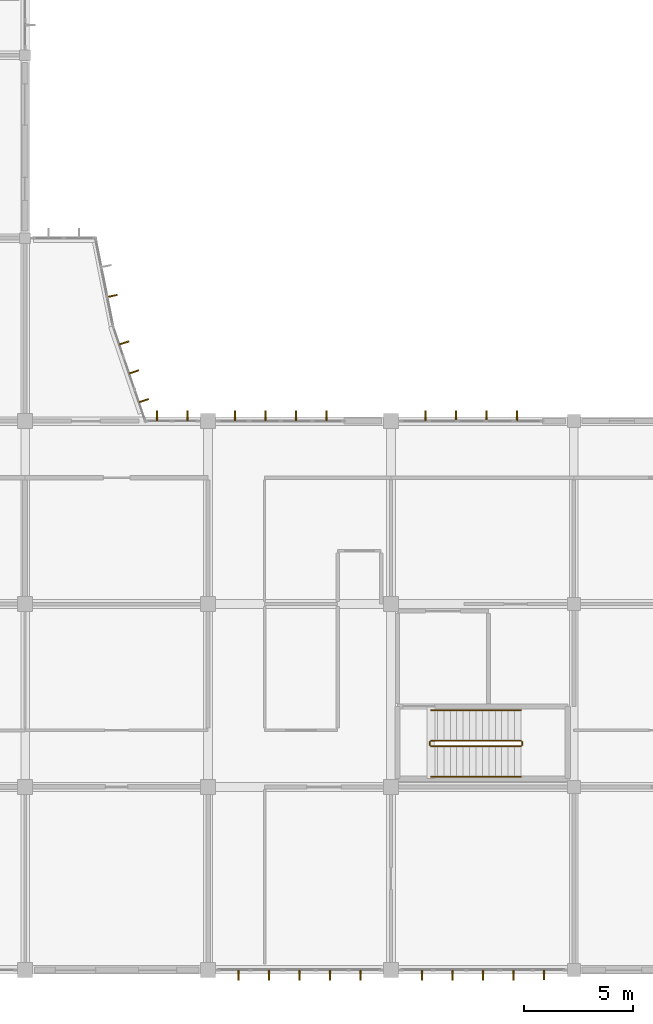
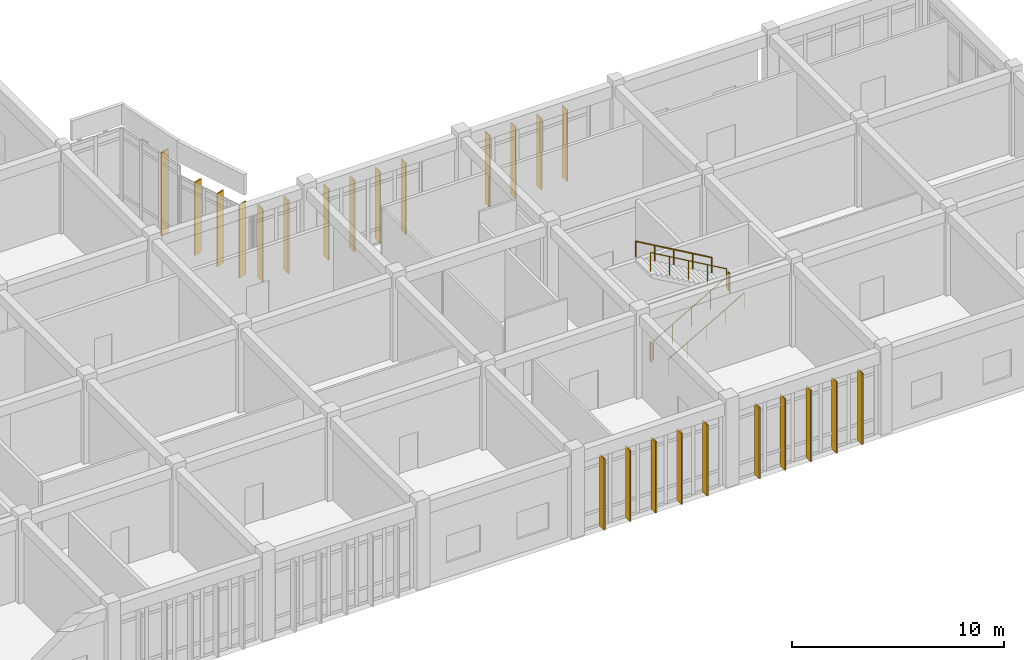
# One storey, part 129 of 134: 24 shading devices, 6 railings.
"""IFC4 building model written with IfcOpenShell, lengths in metres."""

from ifc_helpers import new_model, si_unit, direction, frame, origin, origin_2d, place, context, subcontext, project, spatial, rectangle, circle, extrude, material, material_profile, profile_set, type_object, element, save


model = new_model("IFC4")

# Units and contexts
model_context = context("Model", 3, precision=1e-05, world=origin(), true_north=direction((0.0, 1.0)))
body_context = subcontext(model_context, "Body", "Model", "MODEL_VIEW")
ifc_project = project(units=[si_unit("LENGTHUNIT", "METRE"), si_unit("AREAUNIT", "SQUARE_METRE"), si_unit("VOLUMEUNIT", "CUBIC_METRE"), si_unit("PLANEANGLEUNIT", "RADIAN"), si_unit("MASSUNIT", "GRAM", prefix="KILO")], contexts=[model_context])

# Site, building, storey
site_placement = place(None, origin())
site = spatial("IfcSite", under=ifc_project, at=site_placement, CompositionType="ELEMENT")
building_placement = place(site_placement, origin())
building = spatial("IfcBuilding", under=site, at=building_placement, Name="Bramfleet General Hospital", CompositionType="ELEMENT")
storey_placement = place(building_placement, frame((0.0, 0.0, 9.300048828125)))
storey = spatial("IfcBuildingStorey", under=building, at=storey_placement, Name="L02", CompositionType="ELEMENT", Elevation=9.300048828125)

# Railings
ifc_material_1 = material(Name="Powder-coated steel stair balustrade", Category="steel")
railing_type_1 = type_object("IfcRailingType", Name="RAIL-ST-GUARD", PredefinedType="GUARDRAIL", material=ifc_material_1)
railing_1_placement = place(storey_placement, frame((144.639892578125, 10.27001953125, 0.169921875)))
element("IfcRailing", 1, at=railing_1_placement, inside=storey, type_object=railing_type_1, Name="L02 ST-C10 stair guard 1", PredefinedType="GUARDRAIL", context=body_context, shape_type="SweptSolid", body=[
    extrude(circle(Radius=0.02392578125, at=origin_2d()), frame((0.0, 0.0, 1.076171875), z_axis=(0.866425082981, 0.0, 0.499307095465), x_axis=(0.0, 1.0, 0.0)), (0.0, 0.0, 1.0), 4.766845703125),
    extrude(circle(Radius=0.02099609375, at=origin_2d()), origin(), (0.0, 0.0, 1.0), 1.052001953125),
    extrude(circle(Radius=0.02099609375, at=origin_2d()), frame((1.032470703125, 0.0, 0.594970703125)), (0.0, 0.0, 1.0), 1.052001953125),
    extrude(circle(Radius=0.02099609375, at=origin_2d()), frame((2.06494140625, 0.0, 1.18994140625)), (0.0, 0.0, 1.0), 1.052001953125),
    extrude(circle(Radius=0.02099609375, at=origin_2d()), frame((3.09765625, 0.0, 1.78515625)), (0.0, 0.0, 1.0), 1.052001953125),
    extrude(circle(Radius=0.02099609375, at=origin_2d()), frame((4.130126953125, 0.0, 2.380126953125)), (0.0, 0.0, 1.0), 1.052001953125),
])
railing_2_placement = place(storey_placement, frame((148.820068359375, 10.320068359375, 2.550048828125)))
element("IfcRailing", 2, at=railing_2_placement, inside=storey, type_object=railing_type_1, Name="L02 ST-C10 stair guard 2", PredefinedType="GUARDRAIL", context=body_context, shape_type="SweptSolid", body=[
    extrude(circle(Radius=0.02392578125, at=origin_2d()), frame((0.0, 0.0, 1.076171875), z_axis=(0.0, 1.0, 0.0), x_axis=(-1.0, 0.0, 0.0)), (0.0, 0.0, 1.0), 0.159912109375),
    extrude(circle(Radius=0.02099609375, at=origin_2d()), origin(), (0.0, 0.0, 1.0), 1.052001953125),
    extrude(circle(Radius=0.02099609375, at=origin_2d()), frame((0.0, 0.159912109375, 0.0)), (0.0, 0.0, 1.0), 1.052001953125),
])
railing_3_placement = place(storey_placement, frame((148.77001953125, 10.530029296875, 2.719970703125)))
element("IfcRailing", 3, at=railing_3_placement, inside=storey, type_object=railing_type_1, Name="L02 ST-C10 stair guard 3", PredefinedType="GUARDRAIL", context=body_context, shape_type="SweptSolid", body=[
    extrude(circle(Radius=0.02392578125, at=origin_2d()), frame((0.0, 0.0, 1.076171875), z_axis=(-0.866447239463, 0.0, 0.499268646349), x_axis=(0.0, -1.0, 0.0)), (0.0, 0.0, 1.0), 4.766845703125),
    extrude(circle(Radius=0.02099609375, at=origin_2d()), origin(), (0.0, 0.0, 1.0), 1.052001953125),
    extrude(circle(Radius=0.02099609375, at=origin_2d()), frame((-1.032470703125, 0.0, 0.594970703125)), (0.0, 0.0, 1.0), 1.052001953125),
    extrude(circle(Radius=0.02099609375, at=origin_2d()), frame((-2.06494140625, 0.0, 1.18994140625)), (0.0, 0.0, 1.0), 1.052001953125),
    extrude(circle(Radius=0.02099609375, at=origin_2d()), frame((-3.09765625, 0.0, 1.784912109375)), (0.0, 0.0, 1.0), 1.052001953125),
    extrude(circle(Radius=0.02099609375, at=origin_2d()), frame((-4.130126953125, 0.0, 2.3798828125)), (0.0, 0.0, 1.0), 1.052001953125),
])
railing_4_placement = place(storey_placement, frame((144.590087890625, 10.320068359375, 0.0)))
element("IfcRailing", 4, at=railing_4_placement, inside=storey, type_object=railing_type_1, Name="L02 ST-C10 stair guard 4", PredefinedType="GUARDRAIL", context=body_context, shape_type="SweptSolid", body=[
    extrude(circle(Radius=0.02392578125, at=origin_2d()), frame((0.0, 0.0, 1.076171875), z_axis=(0.0, 1.0, 0.0), x_axis=(-1.0, 0.0, 0.0)), (0.0, 0.0, 1.0), 0.159912109375),
    extrude(circle(Radius=0.02099609375, at=origin_2d()), origin(), (0.0, 0.0, 1.0), 1.052001953125),
    extrude(circle(Radius=0.02099609375, at=origin_2d()), frame((0.0, 0.159912109375, 0.0)), (0.0, 0.0, 1.0), 1.052001953125),
])
ifc_material_2 = material(Name="Stainless steel 1.4301 stair handrail", Category="steel")
railing_type_2 = type_object("IfcRailingType", Name="RAIL-ST-HND", PredefinedType="HANDRAIL", material=ifc_material_2)
railing_5_placement = place(storey_placement, frame((144.639892578125, 8.8701171875, 0.169921875)))
element("IfcRailing", 5, at=railing_5_placement, inside=storey, type_object=railing_type_2, Name="L02 ST-C10 stair handrail 1", PredefinedType="HANDRAIL", context=body_context, shape_type="SweptSolid", body=[
    extrude(circle(Radius=0.02392578125, at=origin_2d()), frame((0.0, 0.0, 0.8759765625), z_axis=(0.866425082981, 0.0, 0.499307095465), x_axis=(0.0, 1.0, 0.0)), (0.0, 0.0, 1.0), 4.766845703125),
    extrude(circle(Radius=0.02099609375, at=origin_2d()), origin(), (0.0, 0.0, 1.0), 0.851806640625),
    extrude(circle(Radius=0.02099609375, at=origin_2d()), frame((1.032470703125, 0.0, 0.594970703125)), (0.0, 0.0, 1.0), 0.851806640625),
    extrude(circle(Radius=0.02099609375, at=origin_2d()), frame((2.06494140625, 0.0, 1.18994140625)), (0.0, 0.0, 1.0), 0.851806640625),
    extrude(circle(Radius=0.02099609375, at=origin_2d()), frame((3.09765625, 0.0, 1.78515625)), (0.0, 0.0, 1.0), 0.851806640625),
    extrude(circle(Radius=0.02099609375, at=origin_2d()), frame((4.130126953125, 0.0, 2.380126953125)), (0.0, 0.0, 1.0), 0.851806640625),
])
railing_6_placement = place(storey_placement, frame((148.77001953125, 11.929931640625, 2.719970703125)))
element("IfcRailing", 6, at=railing_6_placement, inside=storey, type_object=railing_type_2, Name="L02 ST-C10 stair handrail 2", PredefinedType="HANDRAIL", context=body_context, shape_type="SweptSolid", body=[
    extrude(circle(Radius=0.02392578125, at=origin_2d()), frame((0.0, 0.0, 0.8759765625), z_axis=(-0.866447239463, 0.0, 0.499268646349), x_axis=(0.0, -1.0, 0.0)), (0.0, 0.0, 1.0), 4.766845703125),
    extrude(circle(Radius=0.02099609375, at=origin_2d()), origin(), (0.0, 0.0, 1.0), 0.851806640625),
    extrude(circle(Radius=0.02099609375, at=origin_2d()), frame((-1.032470703125, 0.0, 0.594970703125)), (0.0, 0.0, 1.0), 0.851806640625),
    extrude(circle(Radius=0.02099609375, at=origin_2d()), frame((-2.06494140625, 0.0, 1.18994140625)), (0.0, 0.0, 1.0), 0.851806640625),
    extrude(circle(Radius=0.02099609375, at=origin_2d()), frame((-3.09765625, 0.0, 1.784912109375)), (0.0, 0.0, 1.0), 0.851806640625),
    extrude(circle(Radius=0.02099609375, at=origin_2d()), frame((-4.130126953125, 0.0, 2.3798828125)), (0.0, 0.0, 1.0), 0.851806640625),
])

# Shading devices
ifc_material_3 = material(Name="Treated European larch timber", Category="wood")
ifc_material_profile = material_profile(ifc_material_3, rectangle(XDim=0.06494140625, YDim=0.449951171875, at=origin_2d()), Name="LARCH FIN 450x65")
ifc_profile_set = profile_set([ifc_material_profile], Name="Treated European larch timber")
shading_device_type = type_object("IfcShadingDeviceType", Name="SHD-FIN-450", PredefinedType="USERDEFINED", material=ifc_profile_set)
shading_device_placement = place(storey_placement, frame((130.007568359375, 30.94873046875, -0.02001953125), z_axis=(0.0, 0.0, 1.0), x_axis=(0.195272189606, -0.980749087161, 0.0)))
element("IfcShadingDevice", 7, at=shading_device_placement, inside=storey, type_object=shading_device_type, Name="L02 Larch Timber Shading Fin 445", ObjectType="Fin", PredefinedType="USERDEFINED", context=body_context, shape_type="SweptSolid", body=[
    extrude(rectangle(XDim=0.06494140625, YDim=0.449951171875, at=origin_2d()), origin(), (0.0, 0.0, 1.0), 4.800048828125),
])
for number, where, z_axis, x_axis, name in (
    (8, (130.555908203125, 28.79150390625, -0.02001953125), (0.0, 0.0, 1.0), (0.321285950829, -0.94698222676, 0.0), "L02 Larch Timber Shading Fin 446"),
    (9, (131.005859375, 27.465576171875, -0.02001953125), (0.0, 0.0, 1.0), (0.321285950829, -0.94698222676, 0.0), "L02 Larch Timber Shading Fin 447"),
    (10, (131.45556640625, 26.139892578125, -0.02001953125), (0.0, 0.0, 1.0), (0.321285950829, -0.94698222676, 0.0), "L02 Larch Timber Shading Fin 448"),
    (11, (132.048095703125, 25.43994140625, -0.02001953125), (0.0, 0.0, 1.0), (1.0, 0.0, 0.0), "L02 Larch Timber Shading Fin 449"),
    (12, (133.447998046875, 25.43994140625, -0.02001953125), (0.0, 0.0, 1.0), (1.0, 0.0, 0.0), "L02 Larch Timber Shading Fin 450"),
):
    element("IfcShadingDevice", number, at=place(storey_placement, frame(where, z_axis=z_axis, x_axis=x_axis)), inside=storey, type_object=shading_device_type, Name=name, ObjectType="Fin", PredefinedType="USERDEFINED", context=body_context, shape_type="SweptSolid", body=[
        extrude(rectangle(XDim=0.06494140625, YDim=0.449951171875, at=origin_2d()), origin(), (0.0, 0.0, 1.0), 4.199951171875),
    ])
for number, where, z_axis, x_axis, name in (
    (13, (135.633056640625, 25.43994140625, -0.02001953125), (0.0, 0.0, 1.0), (1.0, 0.0, 0.0), "L02 Larch Timber Shading Fin 451"),
    (14, (137.032958984375, 25.43994140625, -0.02001953125), (0.0, 0.0, 1.0), (1.0, 0.0, 0.0), "L02 Larch Timber Shading Fin 452"),
    (15, (138.43310546875, 25.43994140625, -0.02001953125), (0.0, 0.0, 1.0), (1.0, 0.0, 0.0), "L02 Larch Timber Shading Fin 453"),
    (16, (139.8330078125, 25.43994140625, -0.02001953125), (0.0, 0.0, 1.0), (1.0, 0.0, 0.0), "L02 Larch Timber Shading Fin 454"),
    (17, (144.39306640625, 25.43994140625, -0.02001953125), (0.0, 0.0, 1.0), (1.0, 0.0, 0.0), "L02 Larch Timber Shading Fin 455"),
    (18, (145.79296875, 25.43994140625, -0.02001953125), (0.0, 0.0, 1.0), (1.0, 0.0, 0.0), "L02 Larch Timber Shading Fin 456"),
    (19, (147.193115234375, 25.43994140625, -0.02001953125), (0.0, 0.0, 1.0), (1.0, 0.0, 0.0), "L02 Larch Timber Shading Fin 457"),
    (20, (148.593017578125, 25.43994140625, -0.02001953125), (0.0, 0.0, 1.0), (1.0, 0.0, 0.0), "L02 Larch Timber Shading Fin 458"),
    (21, (149.824951171875, -0.239990234375, -0.02001953125), (0.0, 0.0, 1.0), (-1.0, 0.0, 0.0), "L02 Larch Timber Shading Fin 469"),
    (22, (148.425048828125, -0.239990234375, -0.02001953125), (0.0, 0.0, 1.0), (-1.0, 0.0, 0.0), "L02 Larch Timber Shading Fin 470"),
    (23, (147.02490234375, -0.239990234375, -0.02001953125), (0.0, 0.0, 1.0), (-1.0, 0.0, 0.0), "L02 Larch Timber Shading Fin 471"),
    (24, (145.625, -0.239990234375, -0.02001953125), (0.0, 0.0, 1.0), (-1.0, 0.0, 0.0), "L02 Larch Timber Shading Fin 472"),
    (25, (144.22509765625, -0.239990234375, -0.02001953125), (0.0, 0.0, 1.0), (-1.0, 0.0, 0.0), "L02 Larch Timber Shading Fin 473"),
    (26, (141.39990234375, -0.239990234375, -0.02001953125), (0.0, 0.0, 1.0), (-1.0, 0.0, 0.0), "L02 Larch Timber Shading Fin 474"),
    (27, (140.0, -0.239990234375, -0.02001953125), (0.0, 0.0, 1.0), (-1.0, 0.0, 0.0), "L02 Larch Timber Shading Fin 475"),
    (28, (138.60009765625, -0.239990234375, -0.02001953125), (0.0, 0.0, 1.0), (-1.0, 0.0, 0.0), "L02 Larch Timber Shading Fin 476"),
    (29, (137.199951171875, -0.239990234375, -0.02001953125), (0.0, 0.0, 1.0), (-1.0, 0.0, 0.0), "L02 Larch Timber Shading Fin 477"),
    (30, (135.800048828125, -0.239990234375, -0.02001953125), (0.0, 0.0, 1.0), (-1.0, 0.0, 0.0), "L02 Larch Timber Shading Fin 478"),
):
    element("IfcShadingDevice", number, at=place(storey_placement, frame(where, z_axis=z_axis, x_axis=x_axis)), inside=storey, type_object=shading_device_type, Name=name, ObjectType="Fin", PredefinedType="USERDEFINED", context=body_context, shape_type="SweptSolid", body=[
        extrude(rectangle(XDim=0.06494140625, YDim=0.449951171875, at=origin_2d()), origin(), (0.0, 0.0, 1.0), 4.099853515625),
    ])

save(model, "model.ifc")
